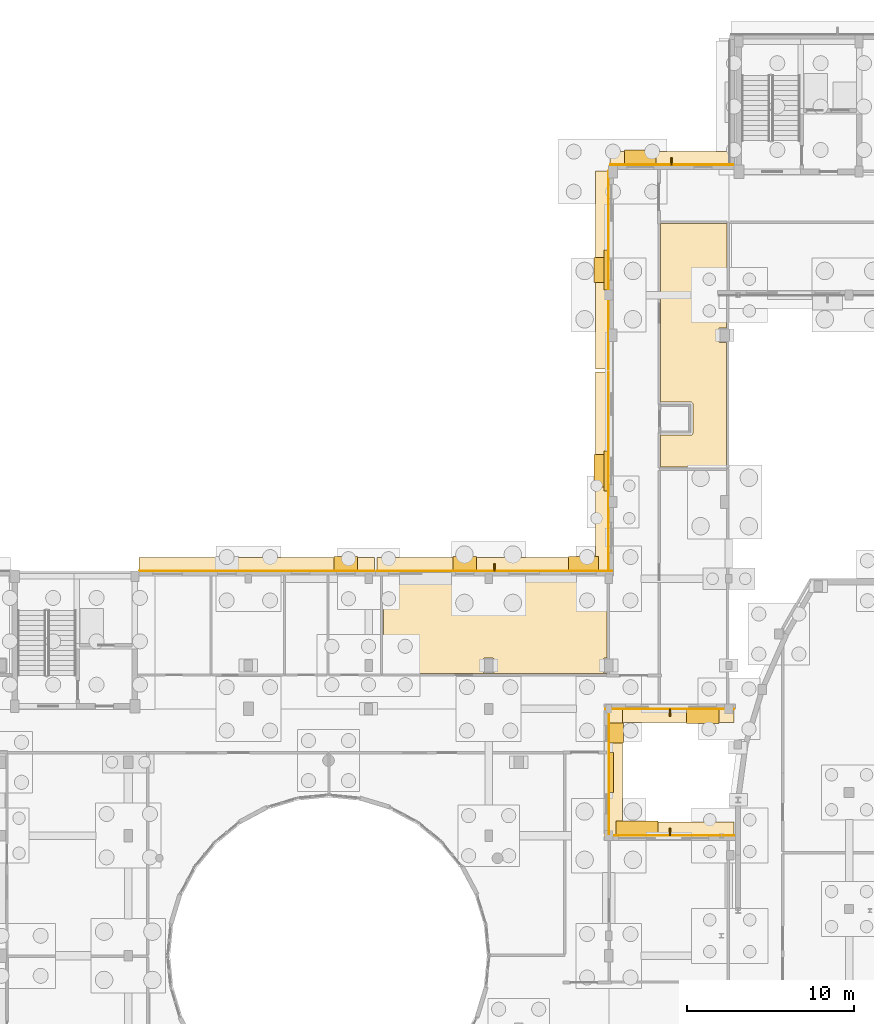
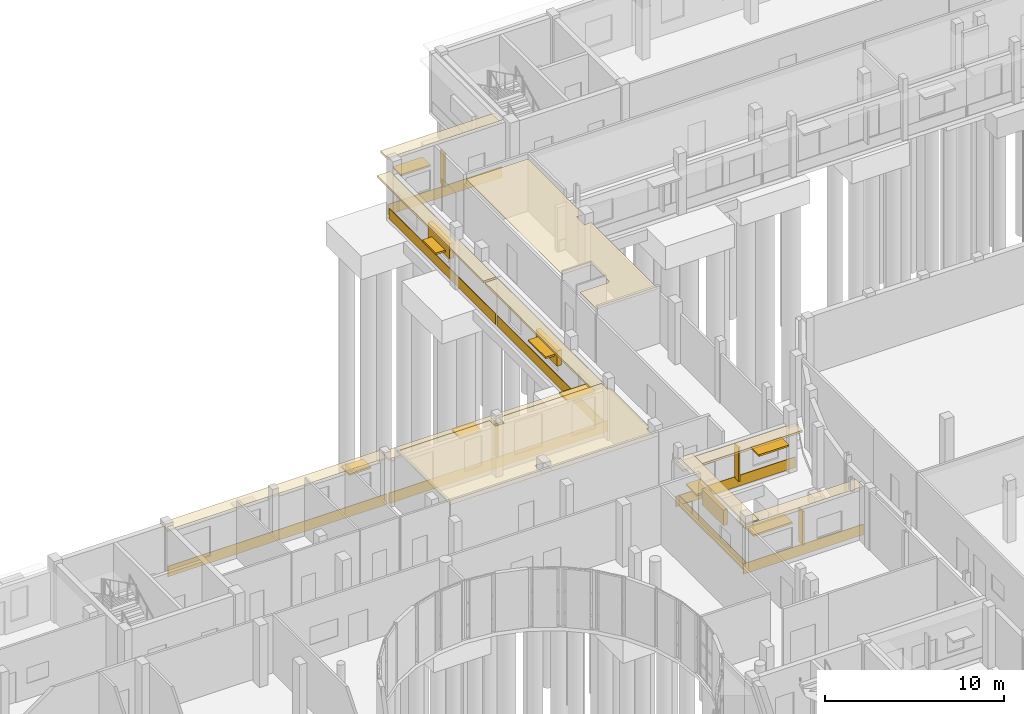
# One storey, part 88 of 93: 18 coverings, 16 shading devices.
"""IFC4 building model written with IfcOpenShell, lengths in metres."""

from ifc_helpers import new_model, si_unit, direction, frame, origin, origin_2d, place, context, subcontext, project, spatial, polyline, rectangle, outline, extrude, material, layer, layer_set, type_object, element, save


model = new_model("IFC4")

# Units and contexts
model_context = context("Model", 3, precision=1e-05, world=origin(), true_north=direction((0.0, 1.0)))
body_context = subcontext(model_context, "Body", "Model", "MODEL_VIEW")
ifc_project = project(units=[si_unit("LENGTHUNIT", "METRE"), si_unit("AREAUNIT", "SQUARE_METRE"), si_unit("VOLUMEUNIT", "CUBIC_METRE"), si_unit("PLANEANGLEUNIT", "RADIAN"), si_unit("MASSUNIT", "GRAM", prefix="KILO")], contexts=[model_context])

# Site, building, storey
site_placement = place(None, origin())
site = spatial("IfcSite", under=ifc_project, at=site_placement, CompositionType="ELEMENT")
building_placement = place(site_placement, origin())
building = spatial("IfcBuilding", under=site, at=building_placement, Name="Kelanivale Promenade Academy", CompositionType="ELEMENT")
storey_placement = place(building_placement, origin())
storey = spatial("IfcBuildingStorey", under=building, at=storey_placement, Name="L00", CompositionType="ELEMENT", Elevation=0.0)

# Coverings
ifc_material_1 = material(Name="Warm ivory Art Deco stucco frieze band 40 mm", Category="masonry")
ifc_layer_1 = layer(ifc_material_1, 0.0400390625)
ifc_layer_set_1 = layer_set([ifc_layer_1], Name="Warm ivory Art Deco stucco frieze band 40 mm")
covering_type_1 = type_object("IfcCoveringType", Name="COV-CLD2 Warm ivory Art Deco stucco frieze ba", PredefinedType="CLADDING", material=ifc_layer_set_1)
covering_1_placement = place(storey_placement, frame((119.260009765625, 64.39990234375, 3.21484375), z_axis=(0.0, 0.0, 1.0), x_axis=(-1.0, 0.0, 0.0)))
element("IfcCovering", 1, at=covering_1_placement, inside=storey, type_object=covering_type_1, Name="Art Deco projecting 820 mm streamline sunshade eyebrow ledge", PredefinedType="CLADDING", context=body_context, shape_type="SweptSolid", body=[
    extrude(rectangle(XDim=7.719970703125, YDim=0.820068359375, at=origin_2d()), origin(), (0.0, 0.0, 1.0), 0.139892578125),
])
covering_2_placement = place(storey_placement, frame((119.260009765625, 64.014892578125, 0.06005859375), z_axis=(0.0, 0.0, 1.0), x_axis=(-1.0, 0.0, 0.0)))
element("IfcCovering", 2, at=covering_2_placement, inside=storey, type_object=covering_type_1, Name="Art Deco ivory stucco sill frieze band", PredefinedType="CLADDING", context=body_context, shape_type="SweptSolid", body=[
    extrude(rectangle(XDim=7.719970703125, YDim=0.0400390625, at=origin_2d()), origin(), (0.0, 0.0, 1.0), 0.719970703125),
])
covering_3_placement = place(storey_placement, frame((116.0, 67.800048828125, 3.26513671875), z_axis=(0.0, 0.0, 1.0), x_axis=(0.0, 1.0, 0.0)))
element("IfcCovering", 3, at=covering_3_placement, inside=storey, type_object=covering_type_1, Name="Art Deco projecting 820 mm streamline sunshade eyebrow ledge", PredefinedType="CLADDING", context=body_context, shape_type="SweptSolid", body=[
    extrude(rectangle(XDim=7.43994140625, YDim=0.820068359375, at=origin_2d()), origin(), (0.0, 0.0, 1.0), 0.139892578125),
])
covering_4_placement = place(storey_placement, frame((115.614990234375, 67.800048828125, 0.06005859375), z_axis=(0.0, 0.0, 1.0), x_axis=(0.0, 1.0, 0.0)))
element("IfcCovering", 4, at=covering_4_placement, inside=storey, type_object=covering_type_1, Name="Art Deco ivory stucco sill frieze band", PredefinedType="CLADDING", context=body_context, shape_type="SweptSolid", body=[
    extrude(rectangle(XDim=7.43994140625, YDim=0.0400390625, at=origin_2d()), origin(), (0.0, 0.0, 1.0), 0.719970703125),
])
covering_5_placement = place(storey_placement, frame((119.260009765625, 71.199951171875, 2.9052734375), z_axis=(0.0, 0.0, 1.0), x_axis=(1.0, 0.0, 0.0)))
element("IfcCovering", 5, at=covering_5_placement, inside=storey, type_object=covering_type_1, Name="Art Deco projecting 820 mm streamline sunshade eyebrow ledge", PredefinedType="CLADDING", context=body_context, shape_type="SweptSolid", body=[
    extrude(rectangle(XDim=7.719970703125, YDim=0.820068359375, at=origin_2d()), origin(), (0.0, 0.0, 1.0), 0.139892578125),
])
covering_6_placement = place(storey_placement, frame((119.260009765625, 71.5849609375, 0.06005859375), z_axis=(0.0, 0.0, 1.0), x_axis=(1.0, 0.0, 0.0)))
element("IfcCovering", 6, at=covering_6_placement, inside=storey, type_object=covering_type_1, Name="Art Deco ivory stucco sill frieze band", PredefinedType="CLADDING", context=body_context, shape_type="SweptSolid", body=[
    extrude(rectangle(XDim=7.719970703125, YDim=0.0400390625, at=origin_2d()), origin(), (0.0, 0.0, 1.0), 0.719970703125),
])
covering_7_placement = place(storey_placement, frame((119.364990234375, 104.60009765625, 3.81982421875), z_axis=(0.0, 0.0, 1.0), x_axis=(-1.0, 0.0, 0.0)))
element("IfcCovering", 7, at=covering_7_placement, inside=storey, type_object=covering_type_1, Name="Art Deco projecting 820 mm streamline sunshade eyebrow ledge", PredefinedType="CLADDING", context=body_context, shape_type="SweptSolid", body=[
    extrude(rectangle(XDim=7.3701171875, YDim=0.820068359375, at=origin_2d()), origin(), (0.0, 0.0, 1.0), 0.139892578125),
])
covering_8_placement = place(storey_placement, frame((119.364990234375, 104.215087890625, 0.06005859375), z_axis=(0.0, 0.0, 1.0), x_axis=(-1.0, 0.0, 0.0)))
element("IfcCovering", 8, at=covering_8_placement, inside=storey, type_object=covering_type_1, Name="Art Deco ivory stucco sill frieze band", PredefinedType="CLADDING", context=body_context, shape_type="SweptSolid", body=[
    extrude(rectangle(XDim=7.3701171875, YDim=0.0400390625, at=origin_2d()), origin(), (0.0, 0.0, 1.0), 0.719970703125),
])
covering_9_placement = place(storey_placement, frame((115.199951171875, 97.903076171875, 3.1552734375), z_axis=(0.0, 0.0, 1.0), x_axis=(0.0, -1.0, 0.0)))
element("IfcCovering", 9, at=covering_9_placement, inside=storey, type_object=covering_type_1, Name="Art Deco projecting 820 mm streamline sunshade eyebrow ledge", PredefinedType="CLADDING", context=body_context, shape_type="SweptSolid", body=[
    extrude(rectangle(XDim=11.875, YDim=0.820068359375, at=origin_2d()), origin(), (0.0, 0.0, 1.0), 0.139892578125),
])
covering_10_placement = place(storey_placement, frame((115.5849609375, 97.903076171875, 0.06005859375), z_axis=(0.0, 0.0, 1.0), x_axis=(0.0, -1.0, 0.0)))
element("IfcCovering", 10, at=covering_10_placement, inside=storey, type_object=covering_type_1, Name="Art Deco ivory stucco sill frieze band", PredefinedType="CLADDING", context=body_context, shape_type="SweptSolid", body=[
    extrude(rectangle(XDim=11.875, YDim=0.0400390625, at=origin_2d()), origin(), (0.0, 0.0, 1.0), 0.719970703125),
])
covering_11_placement = place(storey_placement, frame((115.199951171875, 85.867919921875, 3.1552734375), z_axis=(0.0, 0.0, 1.0), x_axis=(0.0, -1.0, 0.0)))
element("IfcCovering", 11, at=covering_11_placement, inside=storey, type_object=covering_type_1, Name="Art Deco projecting 820 mm streamline sunshade eyebrow ledge", PredefinedType="CLADDING", context=body_context, shape_type="SweptSolid", body=[
    extrude(rectangle(XDim=11.875, YDim=0.820068359375, at=origin_2d()), origin(), (0.0, 0.0, 1.0), 0.139892578125),
])
covering_12_placement = place(storey_placement, frame((115.5849609375, 85.867919921875, 0.06005859375), z_axis=(0.0, 0.0, 1.0), x_axis=(0.0, -1.0, 0.0)))
element("IfcCovering", 12, at=covering_12_placement, inside=storey, type_object=covering_type_1, Name="Art Deco ivory stucco sill frieze band", PredefinedType="CLADDING", context=body_context, shape_type="SweptSolid", body=[
    extrude(rectangle(XDim=11.875, YDim=0.0400390625, at=origin_2d()), origin(), (0.0, 0.0, 1.0), 0.719970703125),
])
covering_13_placement = place(storey_placement, frame((108.7509765625, 80.25, 2.96484375), z_axis=(0.0, 0.0, 1.0), x_axis=(-1.0, 0.0, 0.0)))
element("IfcCovering", 13, at=covering_13_placement, inside=storey, type_object=covering_type_1, Name="Art Deco projecting 820 mm streamline sunshade eyebrow ledge", PredefinedType="CLADDING", context=body_context, shape_type="SweptSolid", body=[
    extrude(rectangle(XDim=14.096923828125, YDim=0.820068359375, at=origin_2d()), origin(), (0.0, 0.0, 1.0), 0.139892578125),
])
covering_14_placement = place(storey_placement, frame((108.7509765625, 79.864990234375, 0.06005859375), z_axis=(0.0, 0.0, 1.0), x_axis=(-1.0, 0.0, 0.0)))
element("IfcCovering", 14, at=covering_14_placement, inside=storey, type_object=covering_type_1, Name="Art Deco ivory stucco sill frieze band", PredefinedType="CLADDING", context=body_context, shape_type="SweptSolid", body=[
    extrude(rectangle(XDim=14.096923828125, YDim=0.0400390625, at=origin_2d()), origin(), (0.0, 0.0, 1.0), 0.719970703125),
])
covering_15_placement = place(storey_placement, frame((94.493896484375, 80.25, 3.115234375), z_axis=(0.0, 0.0, 1.0), x_axis=(-1.0, 0.0, 0.0)))
element("IfcCovering", 15, at=covering_15_placement, inside=storey, type_object=covering_type_1, Name="Art Deco projecting 820 mm streamline sunshade eyebrow ledge", PredefinedType="CLADDING", context=body_context, shape_type="SweptSolid", body=[
    extrude(rectangle(XDim=14.097900390625, YDim=0.820068359375, at=origin_2d()), origin(), (0.0, 0.0, 1.0), 0.139892578125),
])
covering_16_placement = place(storey_placement, frame((94.493896484375, 79.864990234375, 0.06005859375), z_axis=(0.0, 0.0, 1.0), x_axis=(-1.0, 0.0, 0.0)))
element("IfcCovering", 16, at=covering_16_placement, inside=storey, type_object=covering_type_1, Name="Art Deco ivory stucco sill frieze band", PredefinedType="CLADDING", context=body_context, shape_type="SweptSolid", body=[
    extrude(rectangle(XDim=14.097900390625, YDim=0.0400390625, at=origin_2d()), origin(), (0.0, 0.0, 1.0), 0.719970703125),
])
ifc_material_2 = material(Name="Acoustic mineral-fibre ceiling tile 25 mm", Category="gypsum")
ifc_layer_2 = layer(ifc_material_2, 0.02490234375)
ifc_layer_set_2 = layer_set([ifc_layer_2], Name="Acoustic mineral-fibre ceiling tile 25 mm")
covering_type_2 = type_object("IfcCoveringType", Name="COV-CLG1 Acoustic mineral-fibre ceiling tile ", PredefinedType="CEILING", material=ifc_layer_set_2)
covering_17_placement = place(storey_placement, frame((0.0, 0.0, 3.550048828125)))
element("IfcCovering", 17, at=covering_17_placement, inside=storey, type_object=covering_type_2, Name="Junior Classroom North East acoustic suspended ceiling", PredefinedType="CEILING", context=body_context, shape_type="SweptSolid", body=[
    extrude(outline(polyline([(115.489990234375, 79.06494140625), (115.35498046875, 79.06494140625), (115.35107421875, 79.06494140625), (115.346923828125, 79.06591796875), (115.343017578125, 79.06689453125), (115.340087890625, 79.068115234375), (115.3359375, 79.070068359375), (115.3330078125, 79.072021484375), (115.330078125, 79.073974609375), (115.326904296875, 79.076904296875), (115.323974609375, 79.080078125), (115.322021484375, 79.0830078125), (115.320068359375, 79.0859375), (115.318115234375, 79.090087890625), (115.31689453125, 79.093017578125), (115.31591796875, 79.096923828125), (115.31494140625, 79.10107421875), (115.31494140625, 79.10498046875), (115.31494140625, 79.695068359375), (115.31494140625, 79.698974609375), (115.31494140625, 79.699951171875), (108.68505859375, 79.699951171875), (108.68505859375, 79.698974609375), (108.68505859375, 79.695068359375), (108.68505859375, 79.10498046875), (108.68505859375, 79.10107421875), (108.68408203125, 79.096923828125), (108.68310546875, 79.093017578125), (108.681884765625, 79.090087890625), (108.679931640625, 79.0859375), (108.677978515625, 79.0830078125), (108.676025390625, 79.080078125), (108.673095703125, 79.076904296875), (108.669921875, 79.073974609375), (108.6669921875, 79.072021484375), (108.6640625, 79.070068359375), (108.659912109375, 79.068115234375), (108.656982421875, 79.06689453125), (108.653076171875, 79.06591796875), (108.64892578125, 79.06494140625), (108.64501953125, 79.06494140625), (108.155029296875, 79.06494140625), (108.15087890625, 79.06494140625), (108.14697265625, 79.06591796875), (108.14306640625, 79.06689453125), (108.139892578125, 79.068115234375), (108.135986328125, 79.070068359375), (108.133056640625, 79.072021484375), (108.1298828125, 79.073974609375), (108.126953125, 79.076904296875), (108.1240234375, 79.080078125), (108.1220703125, 79.0830078125), (108.1201171875, 79.0859375), (108.117919921875, 79.090087890625), (108.116943359375, 79.093017578125), (108.115966796875, 79.096923828125), (108.114990234375, 79.10107421875), (108.114990234375, 79.10498046875), (108.114990234375, 79.695068359375), (108.114990234375, 79.698974609375), (108.114990234375, 79.699951171875), (102.110107421875, 79.699951171875), (102.110107421875, 73.7099609375), (115.489990234375, 73.7099609375), (115.489990234375, 73.764892578125), (115.330078125, 73.764892578125), (115.325927734375, 73.764892578125), (115.322021484375, 73.76611328125), (115.318115234375, 73.76708984375), (115.31494140625, 73.76806640625), (115.31103515625, 73.77001953125), (115.30810546875, 73.77197265625), (115.304931640625, 73.77392578125), (115.302001953125, 73.777099609375), (115.299072265625, 73.780029296875), (115.297119140625, 73.782958984375), (115.294921875, 73.785888671875), (115.29296875, 73.7900390625), (115.2919921875, 73.79296875), (115.291015625, 73.797119140625), (115.2900390625, 73.801025390625), (115.2900390625, 73.804931640625), (115.2900390625, 74.594970703125), (115.2900390625, 74.59912109375), (115.291015625, 74.60302734375), (115.2919921875, 74.60693359375), (115.29296875, 74.610107421875), (115.294921875, 74.614013671875), (115.297119140625, 74.616943359375), (115.299072265625, 74.6201171875), (115.302001953125, 74.623046875), (115.304931640625, 74.6259765625), (115.30810546875, 74.6279296875), (115.31103515625, 74.6298828125), (115.31494140625, 74.632080078125), (115.318115234375, 74.633056640625), (115.322021484375, 74.634033203125), (115.325927734375, 74.635009765625), (115.330078125, 74.635009765625), (115.489990234375, 74.635009765625), (115.489990234375, 79.06494140625)]), holes=[polyline([(108.7099609375, 73.804931640625), (108.7099609375, 73.801025390625), (108.708984375, 73.797119140625), (108.7080078125, 73.79296875), (108.70703125, 73.7900390625), (108.705078125, 73.785888671875), (108.702880859375, 73.782958984375), (108.700927734375, 73.780029296875), (108.697998046875, 73.777099609375), (108.695068359375, 73.77392578125), (108.69189453125, 73.77197265625), (108.68896484375, 73.77001953125), (108.68505859375, 73.76806640625), (108.681884765625, 73.76708984375), (108.677978515625, 73.76611328125), (108.674072265625, 73.764892578125), (108.669921875, 73.764892578125), (108.1298828125, 73.764892578125), (108.1259765625, 73.764892578125), (108.1220703125, 73.76611328125), (108.117919921875, 73.76708984375), (108.114990234375, 73.76806640625), (108.111083984375, 73.77001953125), (108.10791015625, 73.77197265625), (108.10498046875, 73.77392578125), (108.10205078125, 73.777099609375), (108.09912109375, 73.780029296875), (108.096923828125, 73.782958984375), (108.094970703125, 73.785888671875), (108.093017578125, 73.7900390625), (108.092041015625, 73.79296875), (108.091064453125, 73.797119140625), (108.090087890625, 73.801025390625), (108.090087890625, 73.804931640625), (108.090087890625, 74.594970703125), (108.090087890625, 74.59912109375), (108.091064453125, 74.60302734375), (108.092041015625, 74.60693359375), (108.093017578125, 74.610107421875), (108.094970703125, 74.614013671875), (108.096923828125, 74.616943359375), (108.09912109375, 74.6201171875), (108.10205078125, 74.623046875), (108.10498046875, 74.6259765625), (108.10791015625, 74.6279296875), (108.111083984375, 74.6298828125), (108.114990234375, 74.632080078125), (108.117919921875, 74.633056640625), (108.1220703125, 74.634033203125), (108.1259765625, 74.635009765625), (108.1298828125, 74.635009765625), (108.669921875, 74.635009765625), (108.674072265625, 74.635009765625), (108.677978515625, 74.634033203125), (108.681884765625, 74.633056640625), (108.68505859375, 74.632080078125), (108.68896484375, 74.6298828125), (108.69189453125, 74.6279296875), (108.695068359375, 74.6259765625), (108.697998046875, 74.623046875), (108.700927734375, 74.6201171875), (108.702880859375, 74.616943359375), (108.705078125, 74.614013671875), (108.70703125, 74.610107421875), (108.7080078125, 74.60693359375), (108.708984375, 74.60302734375), (108.7099609375, 74.59912109375), (108.7099609375, 74.594970703125), (108.7099609375, 73.804931640625)])]), origin(), (0.0, 0.0, 1.0), 0.02490234375),
])
covering_18_placement = place(storey_placement, frame((0.0, 0.0, 3.550048828125)))
element("IfcCovering", 18, at=covering_18_placement, inside=storey, type_object=covering_type_2, Name="Laboratory Instrument Studio acoustic suspended ceiling", PredefinedType="CEILING", context=body_context, shape_type="SweptSolid", body=[
    extrude(outline(polyline([(122.6708984375, 96.43994140625), (122.675048828125, 96.447998046875), (122.680908203125, 96.4580078125), (122.68701171875, 96.466064453125), (122.68994140625, 96.469970703125), (122.68994140625, 100.68994140625), (118.7099609375, 100.68994140625), (118.7099609375, 89.989990234375), (120.506103515625, 89.989990234375), (120.512939453125, 89.989990234375), (120.51904296875, 89.989013671875), (120.52490234375, 89.988037109375), (120.533935546875, 89.986083984375), (120.5419921875, 89.98291015625), (120.544921875, 89.98193359375), (120.548095703125, 89.98095703125), (120.552978515625, 89.97900390625), (120.55810546875, 89.97705078125), (120.56396484375, 89.97509765625), (120.569091796875, 89.971923828125), (120.573974609375, 89.968994140625), (120.5830078125, 89.9619140625), (120.587890625, 89.9580078125), (120.594970703125, 89.952880859375), (120.59912109375, 89.948974609375), (120.60302734375, 89.945068359375), (120.60791015625, 89.93798828125), (120.612060546875, 89.93310546875), (120.618896484375, 89.924072265625), (120.6220703125, 89.9189453125), (120.625, 89.9140625), (120.626953125, 89.907958984375), (120.62890625, 89.903076171875), (120.631103515625, 89.89794921875), (120.632080078125, 89.89501953125), (120.633056640625, 89.89208984375), (120.635986328125, 89.884033203125), (120.637939453125, 89.875), (120.638916015625, 89.868896484375), (120.639892578125, 89.863037109375), (120.639892578125, 89.85595703125), (120.639892578125, 88.14404296875), (120.639892578125, 88.136962890625), (120.638916015625, 88.131103515625), (120.637939453125, 88.125), (120.635986328125, 88.115966796875), (120.633056640625, 88.10791015625), (120.632080078125, 88.10498046875), (120.631103515625, 88.10205078125), (120.62890625, 88.096923828125), (120.626953125, 88.092041015625), (120.625, 88.0859375), (120.6220703125, 88.0810546875), (120.618896484375, 88.075927734375), (120.612060546875, 88.06689453125), (120.60791015625, 88.06201171875), (120.60302734375, 88.054931640625), (120.59912109375, 88.051025390625), (120.594970703125, 88.047119140625), (120.587890625, 88.0419921875), (120.5830078125, 88.0380859375), (120.573974609375, 88.031005859375), (120.569091796875, 88.028076171875), (120.56396484375, 88.02490234375), (120.55810546875, 88.02294921875), (120.552978515625, 88.02099609375), (120.548095703125, 88.01904296875), (120.544921875, 88.01806640625), (120.5419921875, 88.01708984375), (120.533935546875, 88.013916015625), (120.52490234375, 88.011962890625), (120.51904296875, 88.010986328125), (120.512939453125, 88.010009765625), (120.506103515625, 88.010009765625), (118.7099609375, 88.010009765625), (118.7099609375, 86.110107421875), (122.64990234375, 86.110107421875), (122.64990234375, 93.56494140625), (122.2548828125, 93.56494140625), (122.2509765625, 93.56494140625), (122.2470703125, 93.56591796875), (122.242919921875, 93.56689453125), (122.239990234375, 93.568115234375), (122.236083984375, 93.570068359375), (122.23291015625, 93.572021484375), (122.22998046875, 93.573974609375), (122.22705078125, 93.576904296875), (122.22412109375, 93.580078125), (122.221923828125, 93.5830078125), (122.219970703125, 93.5859375), (122.218017578125, 93.590087890625), (122.217041015625, 93.593017578125), (122.216064453125, 93.596923828125), (122.215087890625, 93.60107421875), (122.215087890625, 93.60498046875), (122.215087890625, 94.39501953125), (122.215087890625, 94.39892578125), (122.216064453125, 94.403076171875), (122.217041015625, 94.406982421875), (122.218017578125, 94.409912109375), (122.219970703125, 94.4140625), (122.221923828125, 94.4169921875), (122.22412109375, 94.419921875), (122.22705078125, 94.423095703125), (122.22998046875, 94.426025390625), (122.23291015625, 94.427978515625), (122.236083984375, 94.429931640625), (122.239990234375, 94.431884765625), (122.242919921875, 94.43310546875), (122.2470703125, 94.43408203125), (122.2509765625, 94.43505859375), (122.2548828125, 94.43505859375), (122.64990234375, 94.43505859375), (122.64990234375, 96.35009765625), (122.64990234375, 96.35693359375), (122.65087890625, 96.368896484375), (122.65087890625, 96.368896484375), (122.652099609375, 96.3798828125), (122.653076171875, 96.385986328125), (122.654052734375, 96.39208984375), (122.656982421875, 96.404052734375), (122.659912109375, 96.412109375), (122.6640625, 96.423095703125), (122.666015625, 96.428955078125), (122.6708984375, 96.43994140625)])), origin(), (0.0, 0.0, 1.0), 0.02490234375),
])

# Shading devices
ifc_material_3 = material(Name="Precast concrete C40/50", Category="concrete")
ifc_layer_3 = layer(ifc_material_3, 0.1201171875)
ifc_layer_set_3 = layer_set([ifc_layer_3], Name="Precast concrete C40/50")
shading_device_type_1 = type_object("IfcShadingDeviceType", Name="SHD-01 Art Deco Sunshade Eyebrow 900mm", PredefinedType="USERDEFINED", material=ifc_layer_set_3)
shading_device_1_placement = place(storey_placement, frame((117.2900390625, 64.43994140625, 2.409912109375), z_axis=(0.0, 0.0, 1.0), x_axis=(-1.0, 0.0, 0.0)))
element("IfcShadingDevice", 19, at=shading_device_1_placement, inside=storey, type_object=shading_device_type_1, Name="Art Deco 900 mm precast chajja window sunshade", ObjectType="SUNSHADE", PredefinedType="USERDEFINED", context=body_context, shape_type="SweptSolid", body=[
    extrude(rectangle(XDim=2.5, YDim=0.89990234375, at=origin_2d()), origin(), (0.0, 0.0, 1.0), 0.1201171875),
])
shading_device_2_placement = place(storey_placement, frame((116.0400390625, 70.14990234375, 1.9599609375), z_axis=(0.0, 0.0, 1.0), x_axis=(0.0, 1.0, 0.0)))
element("IfcShadingDevice", 20, at=shading_device_2_placement, inside=storey, type_object=shading_device_type_1, Name="Art Deco 900 mm precast chajja window sunshade", ObjectType="SUNSHADE", PredefinedType="USERDEFINED", context=body_context, shape_type="SweptSolid", body=[
    extrude(rectangle(XDim=1.199951171875, YDim=0.89990234375, at=origin_2d()), origin(), (0.0, 0.0, 1.0), 0.1201171875),
])
shading_device_3_placement = place(storey_placement, frame((121.22998046875, 71.159912109375, 2.31005859375), z_axis=(0.0, 0.0, 1.0), x_axis=(1.0, 0.0, 0.0)))
element("IfcShadingDevice", 21, at=shading_device_3_placement, inside=storey, type_object=shading_device_type_1, Name="Art Deco 900 mm precast chajja window sunshade", ObjectType="SUNSHADE", PredefinedType="USERDEFINED", context=body_context, shape_type="SweptSolid", body=[
    extrude(rectangle(XDim=1.949951171875, YDim=0.89990234375, at=origin_2d()), origin(), (0.0, 0.0, 1.0), 0.1201171875),
])
shading_device_4_placement = place(storey_placement, frame((117.48193359375, 104.639892578125, 2.409912109375), z_axis=(0.0, 0.0, 1.0), x_axis=(-1.0, 0.0, 0.0)))
element("IfcShadingDevice", 22, at=shading_device_4_placement, inside=storey, type_object=shading_device_type_1, Name="Art Deco 900 mm precast chajja window sunshade", ObjectType="SUNSHADE", PredefinedType="USERDEFINED", context=body_context, shape_type="SweptSolid", body=[
    extrude(rectangle(XDim=1.89990234375, YDim=0.89990234375, at=origin_2d()), origin(), (0.0, 0.0, 1.0), 0.1201171875),
])
shading_device_5_placement = place(storey_placement, frame((115.159912109375, 97.903076171875, 1.9599609375), z_axis=(0.0, 0.0, 1.0), x_axis=(0.0, -1.0, 0.0)))
element("IfcShadingDevice", 23, at=shading_device_5_placement, inside=storey, type_object=shading_device_type_1, Name="Art Deco 900 mm precast chajja window sunshade", ObjectType="SUNSHADE", PredefinedType="USERDEFINED", context=body_context, shape_type="SweptSolid", body=[
    extrude(rectangle(XDim=1.5, YDim=0.89990234375, at=origin_2d()), origin(), (0.0, 0.0, 1.0), 0.1201171875),
])
shading_device_6_placement = place(storey_placement, frame((115.159912109375, 85.866943359375, 2.31005859375), z_axis=(0.0, 0.0, 1.0), x_axis=(0.0, -1.0, 0.0)))
element("IfcShadingDevice", 24, at=shading_device_6_placement, inside=storey, type_object=shading_device_type_1, Name="Art Deco 900 mm precast chajja window sunshade", ObjectType="SUNSHADE", PredefinedType="USERDEFINED", context=body_context, shape_type="SweptSolid", body=[
    extrude(rectangle(XDim=1.949951171875, YDim=0.89990234375, at=origin_2d()), origin(), (0.0, 0.0, 1.0), 0.1201171875),
])
shading_device_7_placement = place(storey_placement, frame((114.097900390625, 80.2900390625, 2.9599609375), z_axis=(0.0, 0.0, 1.0), x_axis=(-1.0, 0.0, 0.0)))
element("IfcShadingDevice", 25, at=shading_device_7_placement, inside=storey, type_object=shading_device_type_1, Name="Art Deco 900 mm precast chajja window sunshade", ObjectType="SUNSHADE", PredefinedType="USERDEFINED", context=body_context, shape_type="SweptSolid", body=[
    extrude(rectangle(XDim=1.800048828125, YDim=0.89990234375, at=origin_2d()), origin(), (0.0, 0.0, 1.0), 0.1201171875),
])
for number, where, z_axis, x_axis, name in (
    (26, (106.968994140625, 80.2900390625, 2.85986328125), (0.0, 0.0, 1.0), (-1.0, 0.0, 0.0), "Art Deco 900 mm precast chajja window sunshade"),
    (27, (99.841064453125, 80.2900390625, 2.85986328125), (0.0, 0.0, 1.0), (-1.0, 0.0, 0.0), "Art Deco 900 mm precast chajja window sunshade"),
):
    element("IfcShadingDevice", number, at=place(storey_placement, frame(where, z_axis=z_axis, x_axis=x_axis)), inside=storey, type_object=shading_device_type_1, Name=name, ObjectType="SUNSHADE", PredefinedType="USERDEFINED", context=body_context, shape_type="SweptSolid", body=[
        extrude(rectangle(XDim=1.39990234375, YDim=0.89990234375, at=origin_2d()), origin(), (0.0, 0.0, 1.0), 0.1201171875),
    ])
ifc_material_4 = material(Name="Bronze anodised aluminium EN AW-6063 T6", Category="aluminium")
ifc_layer_4 = layer(ifc_material_4, 0.080078125)
ifc_layer_set_4 = layer_set([ifc_layer_4], Name="Bronze anodised aluminium EN AW-6063 T6")
shading_device_type_2 = type_object("IfcShadingDeviceType", Name="SHD-02 Perforated Brise-Soleil Screen", PredefinedType="JALOUSIE", material=ifc_layer_set_4)
for number, where, z_axis, x_axis, name in (
    (28, (115.735107421875, 67.800048828125, 1.72509765625), (0.0, 0.0, 1.0), (0.0, 1.0, 0.0), "Perforated Art Deco brise-soleil louvre screen"),
    (29, (115.465087890625, 97.903076171875, 1.72509765625), (0.0, 0.0, 1.0), (0.0, -1.0, 0.0), "Perforated Art Deco brise-soleil louvre screen"),
    (30, (115.465087890625, 85.867919921875, 1.72509765625), (0.0, 0.0, 1.0), (0.0, -1.0, 0.0), "Perforated Art Deco brise-soleil louvre screen"),
):
    element("IfcShadingDevice", number, at=place(storey_placement, frame(where, z_axis=z_axis, x_axis=x_axis)), inside=storey, type_object=shading_device_type_2, Name=name, PredefinedType="JALOUSIE", context=body_context, shape_type="SweptSolid", body=[
        extrude(rectangle(XDim=2.39990234375, YDim=0.280029296875, at=origin_2d()), origin(), (0.0, 0.0, 1.0), 1.050048828125),
    ])
ifc_layer_5 = layer(ifc_material_4, 0.10009765625)
ifc_layer_set_5 = layer_set([ifc_layer_5], Name="Bronze anodised aluminium EN AW-6063 T6")
shading_device_type_3 = type_object("IfcShadingDeviceType", Name="SHD-03 Vertical Fluted Solar Fin", PredefinedType="USERDEFINED", material=ifc_layer_set_5)
for number, where, z_axis, x_axis, name in (
    (31, (119.260009765625, 64.219970703125, 0.7001953125), (0.0, 0.0, 1.0), (-1.0, 0.0, 0.0), "Vertical fluted Art Deco solar fin"),
    (32, (119.260009765625, 71.3798828125, 0.7001953125), (0.0, 0.0, 1.0), (1.0, 0.0, 0.0), "Vertical fluted Art Deco solar fin"),
    (33, (119.364990234375, 104.419921875, 0.7001953125), (0.0, 0.0, 1.0), (-1.0, 0.0, 0.0), "Vertical fluted Art Deco solar fin"),
    (34, (108.7509765625, 80.070068359375, 0.7001953125), (0.0, 0.0, 1.0), (-1.0, 0.0, 0.0), "Vertical fluted Art Deco solar fin"),
):
    element("IfcShadingDevice", number, at=place(storey_placement, frame(where, z_axis=z_axis, x_axis=x_axis)), inside=storey, type_object=shading_device_type_3, Name=name, ObjectType="SOLAR FIN", PredefinedType="USERDEFINED", context=body_context, shape_type="SweptSolid", body=[
        extrude(rectangle(XDim=0.10009765625, YDim=0.449951171875, at=origin_2d()), origin(), (0.0, 0.0, 1.0), 2.300048828125),
    ])

save(model, "model.ifc")
